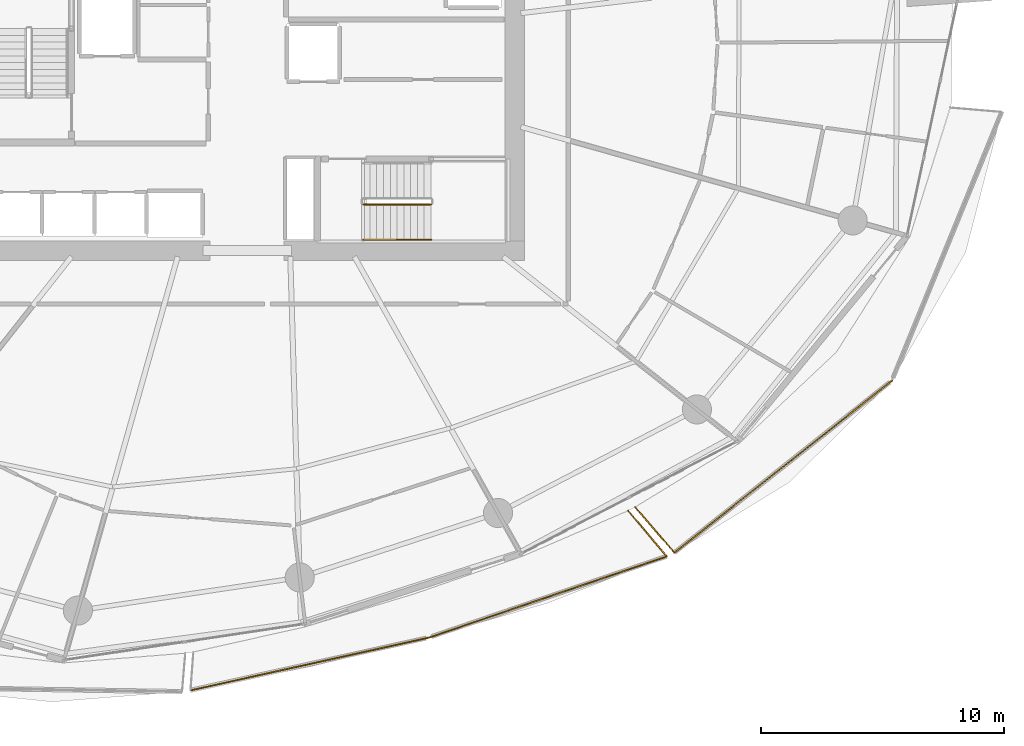
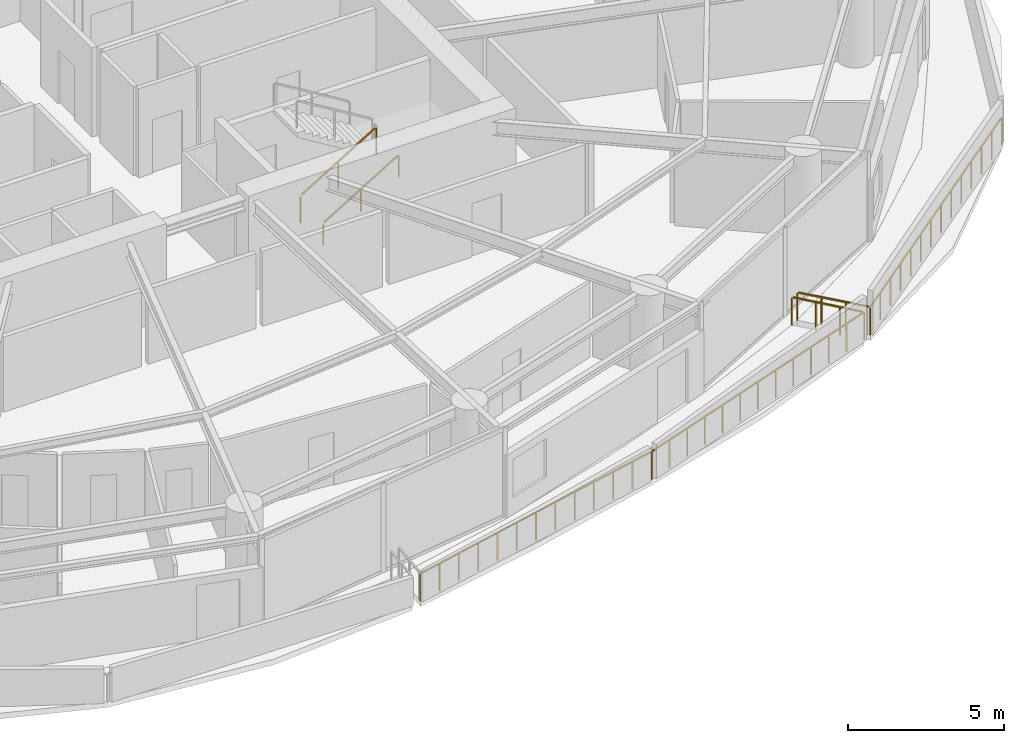
# One storey, part 18 of 22: 7 railings.
"""IFC4 building model written with IfcOpenShell, lengths in metres."""

from ifc_helpers import new_model, si_unit, direction, frame, origin, origin_2d, place, context, subcontext, project, spatial, rectangle, extrude, material, type_object, element, save


model = new_model("IFC4")

# Units and contexts
model_context = context("Model", 3, precision=1e-05, world=origin(), true_north=direction((0.0, 1.0)))
body_context = subcontext(model_context, "Body", "Model", "MODEL_VIEW")
ifc_project = project(units=[si_unit("LENGTHUNIT", "METRE"), si_unit("AREAUNIT", "SQUARE_METRE"), si_unit("VOLUMEUNIT", "CUBIC_METRE"), si_unit("PLANEANGLEUNIT", "RADIAN"), si_unit("MASSUNIT", "GRAM", prefix="KILO")], contexts=[model_context])

# Site, building, storey
site_placement = place(None, origin())
site = spatial("IfcSite", under=ifc_project, at=site_placement, CompositionType="ELEMENT")
building_placement = place(site_placement, origin())
building = spatial("IfcBuilding", under=site, at=building_placement, Name="Kazma Halo Residences", CompositionType="ELEMENT")
storey_placement = place(building_placement, frame((0.0, 0.0, 93.89990234375)))
storey = spatial("IfcBuildingStorey", under=building, at=storey_placement, Name="L23", CompositionType="ELEMENT", Elevation=93.89990234375)

# Railings
ifc_material_1 = material(Name="Aluminium AW-6063 T6 Brushed Cap Rail", Category="aluminium")
railing_type_1 = type_object("IfcRailingType", Name="RLG-BAL-CAP-1120", PredefinedType="BALUSTRADE", material=ifc_material_1)
railing_1_placement = place(storey_placement, frame((46.0751953125, 15.47314453125, 0.0)))
element("IfcRailing", 1, at=railing_1_placement, inside=storey, type_object=railing_type_1, Name="L23 SSE wave balcony guard 2", PredefinedType="BALUSTRADE", context=body_context, shape_type="SweptSolid", body=[
    extrude(rectangle(XDim=0.050048828125, YDim=0.050048828125, at=origin_2d()), frame((0.04150390625, 0.00927734375, 1.09521484375), z_axis=(0.976379400061, 0.216063109154, 0.0), x_axis=(-0.216063109154, 0.976379400061, 0.0)), (0.0, 0.0, 1.0), 9.989501953125),
    extrude(rectangle(XDim=0.0400390625, YDim=0.0400390625, at=origin_2d()), origin(), (0.0, 0.0, 1.0), 1.05810546875),
    extrude(rectangle(XDim=0.0400390625, YDim=0.0400390625, at=origin_2d()), frame((0.81982421875, 0.181396484375, 0.0)), (0.0, 0.0, 1.0), 1.05810546875),
    extrude(rectangle(XDim=0.0400390625, YDim=0.0400390625, at=origin_2d()), frame((1.639404296875, 0.36279296875, 0.0)), (0.0, 0.0, 1.0), 1.05810546875),
    extrude(rectangle(XDim=0.0400390625, YDim=0.0400390625, at=origin_2d()), frame((2.459228515625, 0.544189453125, 0.0)), (0.0, 0.0, 1.0), 1.05810546875),
    extrude(rectangle(XDim=0.0400390625, YDim=0.0400390625, at=origin_2d()), frame((3.27880859375, 0.7255859375, 0.0)), (0.0, 0.0, 1.0), 1.05810546875),
    extrude(rectangle(XDim=0.0400390625, YDim=0.0400390625, at=origin_2d()), frame((4.0986328125, 0.906982421875, 0.0)), (0.0, 0.0, 1.0), 1.05810546875),
    extrude(rectangle(XDim=0.0400390625, YDim=0.0400390625, at=origin_2d()), frame((4.91845703125, 1.08837890625, 0.0)), (0.0, 0.0, 1.0), 1.05810546875),
    extrude(rectangle(XDim=0.0400390625, YDim=0.0400390625, at=origin_2d()), frame((5.738037109375, 1.269775390625, 0.0)), (0.0, 0.0, 1.0), 1.05810546875),
    extrude(rectangle(XDim=0.0400390625, YDim=0.0400390625, at=origin_2d()), frame((6.557861328125, 1.451171875, 0.0)), (0.0, 0.0, 1.0), 1.05810546875),
    extrude(rectangle(XDim=0.0400390625, YDim=0.0400390625, at=origin_2d()), frame((7.37744140625, 1.632568359375, 0.0)), (0.0, 0.0, 1.0), 1.05810546875),
    extrude(rectangle(XDim=0.0400390625, YDim=0.0400390625, at=origin_2d()), frame((8.197265625, 1.81396484375, 0.0)), (0.0, 0.0, 1.0), 1.05810546875),
    extrude(rectangle(XDim=0.0400390625, YDim=0.0400390625, at=origin_2d()), frame((9.016845703125, 1.995361328125, 0.0)), (0.0, 0.0, 1.0), 1.05810546875),
    extrude(rectangle(XDim=0.0400390625, YDim=0.0400390625, at=origin_2d()), frame((9.836669921875, 2.1767578125, 0.0)), (0.0, 0.0, 1.0), 1.05810546875),
])
railing_2_placement = place(storey_placement, frame((55.911865234375, 17.64990234375, 0.0)))
element("IfcRailing", 2, at=railing_2_placement, inside=storey, type_object=railing_type_1, Name="L23 SSE wave balcony guard 3", PredefinedType="BALUSTRADE", context=body_context, shape_type="SweptSolid", body=[
    extrude(rectangle(XDim=0.050048828125, YDim=0.050048828125, at=origin_2d()), frame((0.040283203125, 0.013671875, 1.09521484375), z_axis=(0.946372877158, 0.32307642653, 0.0), x_axis=(-0.32307642653, 0.946372877158, 0.0)), (0.0, 0.0, 1.0), 10.27587890625),
    extrude(rectangle(XDim=0.0400390625, YDim=0.0400390625, at=origin_2d()), origin(), (0.0, 0.0, 1.0), 1.05810546875),
    extrude(rectangle(XDim=0.0400390625, YDim=0.0400390625, at=origin_2d()), frame((0.817138671875, 0.279052734375, 0.0)), (0.0, 0.0, 1.0), 1.05810546875),
    extrude(rectangle(XDim=0.0400390625, YDim=0.0400390625, at=origin_2d()), frame((1.63427734375, 0.557861328125, 0.0)), (0.0, 0.0, 1.0), 1.05810546875),
    extrude(rectangle(XDim=0.0400390625, YDim=0.0400390625, at=origin_2d()), frame((2.451416015625, 0.8369140625, 0.0)), (0.0, 0.0, 1.0), 1.05810546875),
    extrude(rectangle(XDim=0.0400390625, YDim=0.0400390625, at=origin_2d()), frame((3.2685546875, 1.11572265625, 0.0)), (0.0, 0.0, 1.0), 1.05810546875),
    extrude(rectangle(XDim=0.0400390625, YDim=0.0400390625, at=origin_2d()), frame((4.085693359375, 1.394775390625, 0.0)), (0.0, 0.0, 1.0), 1.05810546875),
    extrude(rectangle(XDim=0.0400390625, YDim=0.0400390625, at=origin_2d()), frame((4.90283203125, 1.673828125, 0.0)), (0.0, 0.0, 1.0), 1.05810546875),
    extrude(rectangle(XDim=0.0400390625, YDim=0.0400390625, at=origin_2d()), frame((5.7197265625, 1.95263671875, 0.0)), (0.0, 0.0, 1.0), 1.05810546875),
    extrude(rectangle(XDim=0.0400390625, YDim=0.0400390625, at=origin_2d()), frame((6.536865234375, 2.231689453125, 0.0)), (0.0, 0.0, 1.0), 1.05810546875),
    extrude(rectangle(XDim=0.0400390625, YDim=0.0400390625, at=origin_2d()), frame((7.35400390625, 2.510498046875, 0.0)), (0.0, 0.0, 1.0), 1.05810546875),
    extrude(rectangle(XDim=0.0400390625, YDim=0.0400390625, at=origin_2d()), frame((8.171142578125, 2.78955078125, 0.0)), (0.0, 0.0, 1.0), 1.05810546875),
    extrude(rectangle(XDim=0.0400390625, YDim=0.0400390625, at=origin_2d()), frame((8.98828125, 3.068359375, 0.0)), (0.0, 0.0, 1.0), 1.05810546875),
    extrude(rectangle(XDim=0.0400390625, YDim=0.0400390625, at=origin_2d()), frame((9.805419921875, 3.347412109375, 0.0)), (0.0, 0.0, 1.0), 1.05810546875),
])
railing_3_placement = place(storey_placement, frame((65.71728515625, 20.997314453125, 0.0)))
element("IfcRailing", 3, at=railing_3_placement, inside=storey, type_object=railing_type_1, Name="L23 SSE wave balcony guard 4", PredefinedType="BALUSTRADE", context=body_context, shape_type="SweptSolid", body=[
    extrude(rectangle(XDim=0.050048828125, YDim=0.050048828125, at=origin_2d()), frame((-0.02734375, 0.032470703125, 1.09521484375), z_axis=(-0.644778769126, 0.764369242503, 0.0), x_axis=(-0.764369242503, -0.644778769126, 0.0)), (0.0, 0.0, 1.0), 2.381103515625),
    extrude(rectangle(XDim=0.0400390625, YDim=0.0400390625, at=origin_2d()), origin(), (0.0, 0.0, 1.0), 1.05810546875),
    extrude(rectangle(XDim=0.0400390625, YDim=0.0400390625, at=origin_2d()), frame((-0.530029296875, 0.62841796875, 0.0)), (0.0, 0.0, 1.0), 1.05810546875),
    extrude(rectangle(XDim=0.0400390625, YDim=0.0400390625, at=origin_2d()), frame((-1.06005859375, 1.256591796875, 0.0)), (0.0, 0.0, 1.0), 1.05810546875),
    extrude(rectangle(XDim=0.0400390625, YDim=0.0400390625, at=origin_2d()), frame((-1.590087890625, 1.885009765625, 0.0)), (0.0, 0.0, 1.0), 1.05810546875),
])
railing_4_placement = place(storey_placement, frame((64.40576171875, 23.027099609375, 0.0)))
element("IfcRailing", 4, at=railing_4_placement, inside=storey, type_object=railing_type_1, Name="L23 SE wave balcony guard 1", PredefinedType="BALUSTRADE", context=body_context, shape_type="SweptSolid", body=[
    extrude(rectangle(XDim=0.050048828125, YDim=0.050048828125, at=origin_2d()), frame((0.02783203125, -0.0322265625, 1.09521484375), z_axis=(0.654151932932, -0.756363172452, 0.0), x_axis=(0.756363172452, 0.654151932932, 0.0)), (0.0, 0.0, 1.0), 2.399169921875),
    extrude(rectangle(XDim=0.0400390625, YDim=0.0400390625, at=origin_2d()), origin(), (0.0, 0.0, 1.0), 1.05810546875),
    extrude(rectangle(XDim=0.0400390625, YDim=0.0400390625, at=origin_2d()), frame((0.541748046875, -0.626220703125, 0.0)), (0.0, 0.0, 1.0), 1.05810546875),
    extrude(rectangle(XDim=0.0400390625, YDim=0.0400390625, at=origin_2d()), frame((1.083251953125, -1.252685546875, 0.0)), (0.0, 0.0, 1.0), 1.05810546875),
    extrude(rectangle(XDim=0.0400390625, YDim=0.0400390625, at=origin_2d()), frame((1.625, -1.87890625, 0.0)), (0.0, 0.0, 1.0), 1.05810546875),
])
railing_5_placement = place(storey_placement, frame((66.03076171875, 21.148193359375, 0.0)))
element("IfcRailing", 5, at=railing_5_placement, inside=storey, type_object=railing_type_1, Name="L23 SE wave balcony guard 2", PredefinedType="BALUSTRADE", context=body_context, shape_type="SweptSolid", body=[
    extrude(rectangle(XDim=0.050048828125, YDim=0.050048828125, at=origin_2d()), frame((0.033447265625, 0.0263671875, 1.09521484375), z_axis=(0.784316306459, 0.620361129845, 0.0), x_axis=(-0.620361129845, 0.784316306459, 0.0)), (0.0, 0.0, 1.0), 11.35107421875),
    extrude(rectangle(XDim=0.0400390625, YDim=0.0400390625, at=origin_2d()), origin(), (0.0, 0.0, 1.0), 1.05810546875),
    extrude(rectangle(XDim=0.0400390625, YDim=0.0400390625, at=origin_2d()), frame((0.68994140625, 0.545654296875, 0.0)), (0.0, 0.0, 1.0), 1.05810546875),
    extrude(rectangle(XDim=0.0400390625, YDim=0.0400390625, at=origin_2d()), frame((1.3798828125, 1.091552734375, 0.0)), (0.0, 0.0, 1.0), 1.05810546875),
    extrude(rectangle(XDim=0.0400390625, YDim=0.0400390625, at=origin_2d()), frame((2.06982421875, 1.63720703125, 0.0)), (0.0, 0.0, 1.0), 1.05810546875),
    extrude(rectangle(XDim=0.0400390625, YDim=0.0400390625, at=origin_2d()), frame((2.759765625, 2.182861328125, 0.0)), (0.0, 0.0, 1.0), 1.05810546875),
    extrude(rectangle(XDim=0.0400390625, YDim=0.0400390625, at=origin_2d()), frame((3.44970703125, 2.728759765625, 0.0)), (0.0, 0.0, 1.0), 1.05810546875),
    extrude(rectangle(XDim=0.0400390625, YDim=0.0400390625, at=origin_2d()), frame((4.1396484375, 3.2744140625, 0.0)), (0.0, 0.0, 1.0), 1.05810546875),
    extrude(rectangle(XDim=0.0400390625, YDim=0.0400390625, at=origin_2d()), frame((4.829833984375, 3.820068359375, 0.0)), (0.0, 0.0, 1.0), 1.05810546875),
    extrude(rectangle(XDim=0.0400390625, YDim=0.0400390625, at=origin_2d()), frame((5.519775390625, 4.36572265625, 0.0)), (0.0, 0.0, 1.0), 1.05810546875),
    extrude(rectangle(XDim=0.0400390625, YDim=0.0400390625, at=origin_2d()), frame((6.209716796875, 4.91162109375, 0.0)), (0.0, 0.0, 1.0), 1.05810546875),
    extrude(rectangle(XDim=0.0400390625, YDim=0.0400390625, at=origin_2d()), frame((6.899658203125, 5.457275390625, 0.0)), (0.0, 0.0, 1.0), 1.05810546875),
    extrude(rectangle(XDim=0.0400390625, YDim=0.0400390625, at=origin_2d()), frame((7.589599609375, 6.0029296875, 0.0)), (0.0, 0.0, 1.0), 1.05810546875),
    extrude(rectangle(XDim=0.0400390625, YDim=0.0400390625, at=origin_2d()), frame((8.279541015625, 6.548828125, 0.0)), (0.0, 0.0, 1.0), 1.05810546875),
    extrude(rectangle(XDim=0.0400390625, YDim=0.0400390625, at=origin_2d()), frame((8.969482421875, 7.094482421875, 0.0)), (0.0, 0.0, 1.0), 1.05810546875),
])
ifc_material_2 = material(Name="Painted Steel S355", Category="steel")
railing_type_2 = type_object("IfcRailingType", Name="RLG-STAIR-GRD-1100", PredefinedType="GUARDRAIL", material=ifc_material_2)
railing_6_placement = place(storey_placement, frame((53.199951171875, 35.5, 0.170654296875)))
element("IfcRailing", 6, at=railing_6_placement, inside=storey, type_object=railing_type_2, Name="L23 ST-03 stair guard 1", PredefinedType="GUARDRAIL", context=body_context, shape_type="SweptSolid", body=[
    extrude(rectangle(XDim=0.050048828125, YDim=0.050048828125, at=origin_2d()), frame((0.036376953125, 0.0, 1.09716796875), z_axis=(0.854202870247, 0.0, 0.519939858505), x_axis=(0.0, 1.0, 0.0)), (0.0, 0.0, 1.0), 3.19287109375),
    extrude(rectangle(XDim=0.0400390625, YDim=0.0400390625, at=origin_2d()), origin(), (0.0, 0.0, 1.0), 1.0380859375),
    extrude(rectangle(XDim=0.0400390625, YDim=0.0400390625, at=origin_2d()), frame((1.39990234375, 0.0, 0.85205078125)), (0.0, 0.0, 1.0), 1.0380859375),
    extrude(rectangle(XDim=0.0400390625, YDim=0.0400390625, at=origin_2d()), frame((2.800048828125, 0.0, 1.704345703125)), (0.0, 0.0, 1.0), 1.0380859375),
])
ifc_material_3 = material(Name="Brushed Stainless Steel", Category="steel")
railing_type_3 = type_object("IfcRailingType", Name="RLG-STAIR-HND-900", PredefinedType="HANDRAIL", material=ifc_material_3)
railing_7_placement = place(storey_placement, frame((53.199951171875, 34.050048828125, 0.170654296875)))
element("IfcRailing", 7, at=railing_7_placement, inside=storey, type_object=railing_type_3, Name="L23 ST-03 stair handrail 1", PredefinedType="HANDRAIL", context=body_context, shape_type="SweptSolid", body=[
    extrude(rectangle(XDim=0.050048828125, YDim=0.050048828125, at=origin_2d()), frame((0.036376953125, 0.0, 0.89697265625), z_axis=(0.854202870247, 0.0, 0.519939858505), x_axis=(0.0, 1.0, 0.0)), (0.0, 0.0, 1.0), 3.19287109375),
    extrude(rectangle(XDim=0.0400390625, YDim=0.0400390625, at=origin_2d()), origin(), (0.0, 0.0, 1.0), 0.837890625),
    extrude(rectangle(XDim=0.0400390625, YDim=0.0400390625, at=origin_2d()), frame((1.39990234375, 0.0, 0.85205078125)), (0.0, 0.0, 1.0), 0.837890625),
    extrude(rectangle(XDim=0.0400390625, YDim=0.0400390625, at=origin_2d()), frame((2.800048828125, 0.0, 1.704345703125)), (0.0, 0.0, 1.0), 0.837890625),
])

save(model, "model.ifc")
